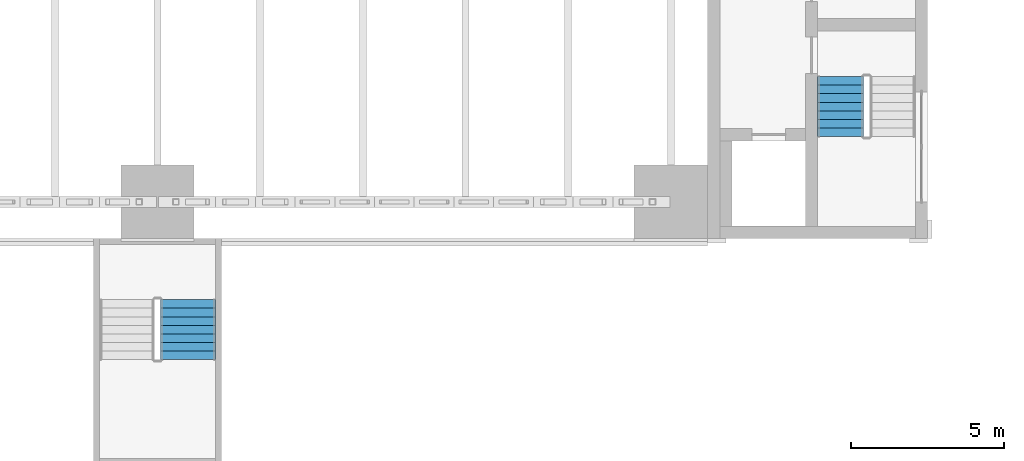
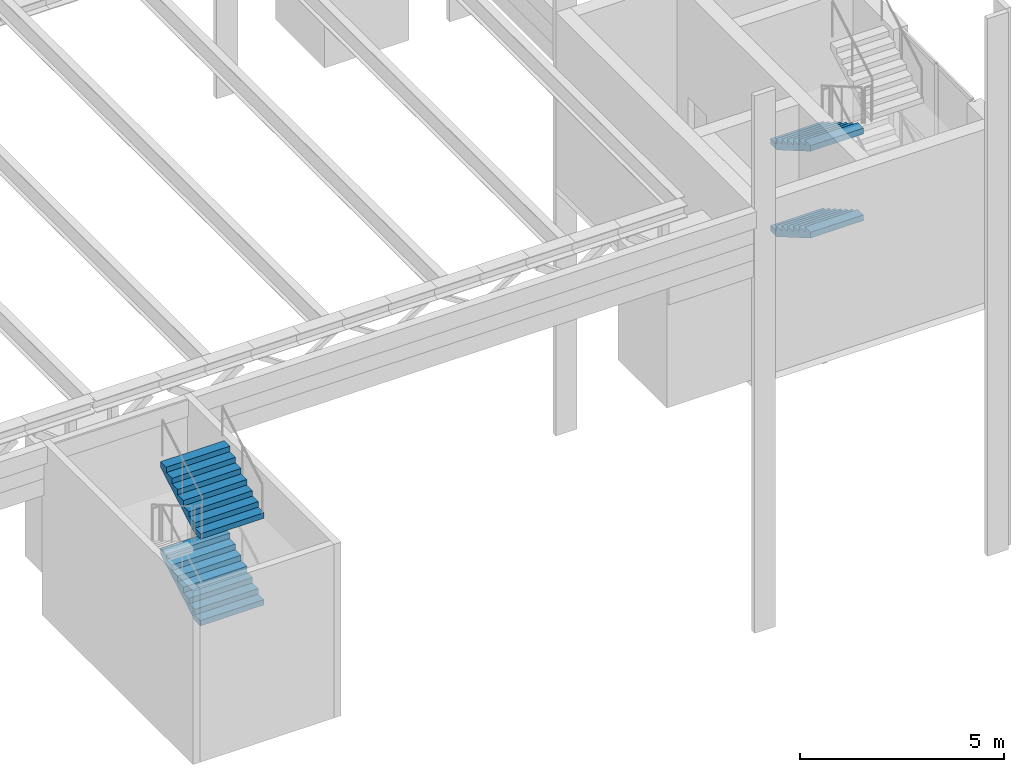
# One storey, part 76 of 93: 4 stair flights, 2 elements without a shape of their own.
"""IFC4 building model written with IfcOpenShell, lengths in metres."""

from ifc_helpers import new_model, si_unit, direction, frame, origin, place, context, subcontext, project, spatial, polygons, material, type_object, element, aggregate, save


model = new_model("IFC4")

# Units and contexts
model_context = context("Model", 3, precision=1e-05, world=origin(), true_north=direction((0.0, 1.0)))
body_context = subcontext(model_context, "Body", "Model", "MODEL_VIEW")
ifc_project = project(units=[si_unit("LENGTHUNIT", "METRE"), si_unit("AREAUNIT", "SQUARE_METRE"), si_unit("VOLUMEUNIT", "CUBIC_METRE"), si_unit("PLANEANGLEUNIT", "RADIAN"), si_unit("MASSUNIT", "GRAM", prefix="KILO")], contexts=[model_context])

# Site, building, storey
site_placement = place(None, origin())
site = spatial("IfcSite", under=ifc_project, at=site_placement, CompositionType="ELEMENT")
building_placement = place(site_placement, origin())
building = spatial("IfcBuilding", under=site, at=building_placement, Name="Verrick Yard Athletic Hall", CompositionType="ELEMENT")
storey_placement = place(building_placement, frame((0.0, 0.0, 8.800048828125)))
storey = spatial("IfcBuildingStorey", under=building, at=storey_placement, Name="L02", CompositionType="ELEMENT", Elevation=8.800048828125)

# Stair, stair flights
ifc_material = material(Name="Concrete 35 MPa", Category="concrete")
stair_type_1 = type_object("IfcStairType", Name="Stair ST2 1500 wide 32 risers", PredefinedType="HALF_TURN_STAIR", material=ifc_material)
stair_1_placement = place(storey_placement, origin())
stair_1 = element("IfcStair", 1, at=stair_1_placement, inside=storey, type_object=stair_type_1, Name="Plinth south-east stair L02", PredefinedType="HALF_TURN_STAIR")
stair_flight_type_1 = type_object("IfcStairFlightType", Name="Stair flight SF2 1500 wide 8 risers", PredefinedType="STRAIGHT", material=ifc_material)
stair_flight_1_placement = place(storey_placement, frame((163.14990234375, 23.300048828125, 0.0), z_axis=(0.0, 0.0, 1.0), x_axis=(0.0, -1.0, 0.0)))
stair_flight_1 = element("IfcStairFlight", 2, at=stair_flight_1_placement, type_object=stair_flight_type_1, Name="ST2 flight 1", NumberOfRisers=8, NumberOfTreads=7, PredefinedType="STRAIGHT", RiserHeight=0.1625, TreadLength=0.28, context=body_context, shape_type="Tessellation", body=[
    polygons([(0.2986404620805121, -0.75, 0.0), (1.9600000000000002, -0.75, 0.9641818746854172), (1.9600000000000002, -0.75, 1.1375), (1.6800000000000002, -0.75, 1.1375), (1.6800000000000002, -0.75, 0.9750000000000001), (1.4000000000000001, -0.75, 0.9750000000000001), (1.4000000000000001, -0.75, 0.8125), (1.12, -0.75, 0.8125), (1.12, -0.75, 0.65), (0.8400000000000001, -0.75, 0.65), (0.8400000000000001, -0.75, 0.48750000000000004), (0.56, -0.75, 0.48750000000000004), (0.56, -0.75, 0.325), (0.28, -0.75, 0.325), (0.28, -0.75, 0.1625), (0.0, -0.75, 0.1625), (0.0, -0.75, 0.0), (0.2986404620805121, -0.14990234375, 0.0), (1.9600000000000002, -0.14990234375, 0.9641818746854172), (1.9600000000000002, -0.14990234375, 1.1375), (1.6800000000000002, -0.14990234375, 1.1375), (1.6800000000000002, -0.14990234375, 0.9750000000000001), (1.4000000000000001, -0.14990234375, 0.9750000000000001), (1.4000000000000001, -0.14990234375, 0.8125), (1.12, -0.14990234375, 0.8125), (1.12, -0.14990234375, 0.65), (0.8400000000000001, -0.14990234375, 0.65), (0.8400000000000001, -0.14990234375, 0.48750000000000004), (0.56, -0.14990234375, 0.48750000000000004), (0.56, -0.14990234375, 0.325), (0.28, -0.14990234375, 0.325), (0.28, -0.14990234375, 0.1625), (0.0, -0.14990234375, 0.1625), (0.0, -0.14990234375, 0.0), (0.2986404620805121, -0.050048828125, 0.0), (1.9600000000000002, -0.050048828125, 0.9641818746854172), (1.9600000000000002, -0.050048828125, 1.1375), (1.6800000000000002, -0.050048828125, 1.1375), (1.6800000000000002, -0.050048828125, 0.9750000000000001), (1.4000000000000001, -0.050048828125, 0.9750000000000001), (1.4000000000000001, -0.050048828125, 0.8125), (1.12, -0.050048828125, 0.8125), (1.12, -0.050048828125, 0.65), (0.8400000000000001, -0.050048828125, 0.65), (0.8400000000000001, -0.050048828125, 0.48750000000000004), (0.56, -0.050048828125, 0.48750000000000004), (0.56, -0.050048828125, 0.325), (0.28, -0.050048828125, 0.325), (0.28, -0.050048828125, 0.1625), (0.0, -0.050048828125, 0.1625), (0.0, -0.050048828125, 0.0), (0.2986404620805121, 0.050048828125, 0.0), (1.9600000000000002, 0.050048828125, 0.9641818746854172), (1.9600000000000002, 0.050048828125, 1.1375), (1.6800000000000002, 0.050048828125, 1.1375), (1.6800000000000002, 0.050048828125, 0.9750000000000001), (1.4000000000000001, 0.050048828125, 0.9750000000000001), (1.4000000000000001, 0.050048828125, 0.8125), (1.12, 0.050048828125, 0.8125), (1.12, 0.050048828125, 0.65), (0.8400000000000001, 0.050048828125, 0.65), (0.8400000000000001, 0.050048828125, 0.48750000000000004), (0.56, 0.050048828125, 0.48750000000000004), (0.56, 0.050048828125, 0.325), (0.28, 0.050048828125, 0.325), (0.28, 0.050048828125, 0.1625), (0.0, 0.050048828125, 0.1625), (0.0, 0.050048828125, 0.0), (0.2986404620805121, 0.14990234375, 0.0), (1.9600000000000002, 0.14990234375, 0.9641818746854172), (1.9600000000000002, 0.14990234375, 1.1375), (1.6800000000000002, 0.14990234375, 1.1375), (1.6800000000000002, 0.14990234375, 0.9750000000000001), (1.4000000000000001, 0.14990234375, 0.9750000000000001), (1.4000000000000001, 0.14990234375, 0.8125), (1.12, 0.14990234375, 0.8125), (1.12, 0.14990234375, 0.65), (0.8400000000000001, 0.14990234375, 0.65), (0.8400000000000001, 0.14990234375, 0.48750000000000004), (0.56, 0.14990234375, 0.48750000000000004), (0.56, 0.14990234375, 0.325), (0.28, 0.14990234375, 0.325), (0.28, 0.14990234375, 0.1625), (0.0, 0.14990234375, 0.1625), (0.0, 0.14990234375, 0.0), (0.2986404620805121, 0.75, 0.0), (1.9600000000000002, 0.75, 0.9641818746854172), (1.9600000000000002, 0.75, 1.1375), (1.6800000000000002, 0.75, 1.1375), (1.6800000000000002, 0.75, 0.9750000000000001), (1.4000000000000001, 0.75, 0.9750000000000001), (1.4000000000000001, 0.75, 0.8125), (1.12, 0.75, 0.8125), (1.12, 0.75, 0.65), (0.8400000000000001, 0.75, 0.65), (0.8400000000000001, 0.75, 0.48750000000000004), (0.56, 0.75, 0.48750000000000004), (0.56, 0.75, 0.325), (0.28, 0.75, 0.325), (0.28, 0.75, 0.1625), (0.0, 0.75, 0.1625), (0.0, 0.75, 0.0)], [[[1, 2, 3, 4, 5, 6, 7, 8, 9, 10, 11, 12, 13, 14, 15, 16, 17]], [[102, 101, 100, 99, 98, 97, 96, 95, 94, 93, 92, 91, 90, 89, 88, 87, 86]], [[1, 18, 19, 2]], [[2, 19, 20, 3]], [[3, 20, 21, 4]], [[4, 21, 22, 5]], [[5, 22, 23, 6]], [[6, 23, 24, 7]], [[7, 24, 25, 8]], [[8, 25, 26, 9]], [[9, 26, 27, 10]], [[10, 27, 28, 11]], [[11, 28, 29, 12]], [[12, 29, 30, 13]], [[13, 30, 31, 14]], [[14, 31, 32, 15]], [[15, 32, 33, 16]], [[16, 33, 34, 17]], [[17, 34, 18, 1]], [[18, 35, 36, 19]], [[19, 36, 37, 20]], [[20, 37, 38, 21]], [[21, 38, 39, 22]], [[22, 39, 40, 23]], [[23, 40, 41, 24]], [[24, 41, 42, 25]], [[25, 42, 43, 26]], [[26, 43, 44, 27]], [[27, 44, 45, 28]], [[28, 45, 46, 29]], [[29, 46, 47, 30]], [[30, 47, 48, 31]], [[31, 48, 49, 32]], [[32, 49, 50, 33]], [[33, 50, 51, 34]], [[34, 51, 35, 18]], [[35, 52, 53, 36]], [[36, 53, 54, 37]], [[37, 54, 55, 38]], [[38, 55, 56, 39]], [[39, 56, 57, 40]], [[40, 57, 58, 41]], [[41, 58, 59, 42]], [[42, 59, 60, 43]], [[43, 60, 61, 44]], [[44, 61, 62, 45]], [[45, 62, 63, 46]], [[46, 63, 64, 47]], [[47, 64, 65, 48]], [[48, 65, 66, 49]], [[49, 66, 67, 50]], [[50, 67, 68, 51]], [[51, 68, 52, 35]], [[52, 69, 70, 53]], [[53, 70, 71, 54]], [[54, 71, 72, 55]], [[55, 72, 73, 56]], [[56, 73, 74, 57]], [[57, 74, 75, 58]], [[58, 75, 76, 59]], [[59, 76, 77, 60]], [[60, 77, 78, 61]], [[61, 78, 79, 62]], [[62, 79, 80, 63]], [[63, 80, 81, 64]], [[64, 81, 82, 65]], [[65, 82, 83, 66]], [[66, 83, 84, 67]], [[67, 84, 85, 68]], [[68, 85, 69, 52]], [[69, 86, 87, 70]], [[70, 87, 88, 71]], [[71, 88, 89, 72]], [[72, 89, 90, 73]], [[73, 90, 91, 74]], [[74, 91, 92, 75]], [[75, 92, 93, 76]], [[76, 93, 94, 77]], [[77, 94, 95, 78]], [[78, 95, 96, 79]], [[79, 96, 97, 80]], [[80, 97, 98, 81]], [[81, 98, 99, 82]], [[82, 99, 100, 83]], [[83, 100, 101, 84]], [[84, 101, 102, 85]], [[85, 102, 86, 69]]], closed=True),
])
stair_flight_2_placement = place(storey_placement, frame((163.14990234375, 23.300048828125, 2.599853515625), z_axis=(0.0, 0.0, 1.0), x_axis=(0.0, -1.0, 0.0)))
stair_flight_2 = element("IfcStairFlight", 3, at=stair_flight_2_placement, type_object=stair_flight_type_1, Name="ST2 flight 3", NumberOfRisers=8, NumberOfTreads=7, PredefinedType="STRAIGHT", RiserHeight=0.1625, TreadLength=0.28, context=body_context, shape_type="Tessellation", body=[
    polygons([(0.2986404620805121, -0.75, 0.0), (1.9600000000000002, -0.75, 0.9641818746854172), (1.9600000000000002, -0.75, 1.1375), (1.6800000000000002, -0.75, 1.1375), (1.6800000000000002, -0.75, 0.9750000000000001), (1.4000000000000001, -0.75, 0.9750000000000001), (1.4000000000000001, -0.75, 0.8125), (1.12, -0.75, 0.8125), (1.12, -0.75, 0.65), (0.8400000000000001, -0.75, 0.65), (0.8400000000000001, -0.75, 0.48750000000000004), (0.56, -0.75, 0.48750000000000004), (0.56, -0.75, 0.325), (0.28, -0.75, 0.325), (0.28, -0.75, 0.1625), (0.0, -0.75, 0.1625), (0.0, -0.75, 0.0), (0.2986404620805121, -0.14990234375, 0.0), (1.9600000000000002, -0.14990234375, 0.9641818746854172), (1.9600000000000002, -0.14990234375, 1.1375), (1.6800000000000002, -0.14990234375, 1.1375), (1.6800000000000002, -0.14990234375, 0.9750000000000001), (1.4000000000000001, -0.14990234375, 0.9750000000000001), (1.4000000000000001, -0.14990234375, 0.8125), (1.12, -0.14990234375, 0.8125), (1.12, -0.14990234375, 0.65), (0.8400000000000001, -0.14990234375, 0.65), (0.8400000000000001, -0.14990234375, 0.48750000000000004), (0.56, -0.14990234375, 0.48750000000000004), (0.56, -0.14990234375, 0.325), (0.28, -0.14990234375, 0.325), (0.28, -0.14990234375, 0.1625), (0.0, -0.14990234375, 0.1625), (0.0, -0.14990234375, 0.0), (0.2986404620805121, -0.050048828125, 0.0), (1.9600000000000002, -0.050048828125, 0.9641818746854172), (1.9600000000000002, -0.050048828125, 1.1375), (1.6800000000000002, -0.050048828125, 1.1375), (1.6800000000000002, -0.050048828125, 0.9750000000000001), (1.4000000000000001, -0.050048828125, 0.9750000000000001), (1.4000000000000001, -0.050048828125, 0.8125), (1.12, -0.050048828125, 0.8125), (1.12, -0.050048828125, 0.65), (0.8400000000000001, -0.050048828125, 0.65), (0.8400000000000001, -0.050048828125, 0.48750000000000004), (0.56, -0.050048828125, 0.48750000000000004), (0.56, -0.050048828125, 0.325), (0.28, -0.050048828125, 0.325), (0.28, -0.050048828125, 0.1625), (0.0, -0.050048828125, 0.1625), (0.0, -0.050048828125, 0.0), (0.2986404620805121, 0.050048828125, 0.0), (1.9600000000000002, 0.050048828125, 0.9641818746854172), (1.9600000000000002, 0.050048828125, 1.1375), (1.6800000000000002, 0.050048828125, 1.1375), (1.6800000000000002, 0.050048828125, 0.9750000000000001), (1.4000000000000001, 0.050048828125, 0.9750000000000001), (1.4000000000000001, 0.050048828125, 0.8125), (1.12, 0.050048828125, 0.8125), (1.12, 0.050048828125, 0.65), (0.8400000000000001, 0.050048828125, 0.65), (0.8400000000000001, 0.050048828125, 0.48750000000000004), (0.56, 0.050048828125, 0.48750000000000004), (0.56, 0.050048828125, 0.325), (0.28, 0.050048828125, 0.325), (0.28, 0.050048828125, 0.1625), (0.0, 0.050048828125, 0.1625), (0.0, 0.050048828125, 0.0), (0.2986404620805121, 0.14990234375, 0.0), (1.9600000000000002, 0.14990234375, 0.9641818746854172), (1.9600000000000002, 0.14990234375, 1.1375), (1.6800000000000002, 0.14990234375, 1.1375), (1.6800000000000002, 0.14990234375, 0.9750000000000001), (1.4000000000000001, 0.14990234375, 0.9750000000000001), (1.4000000000000001, 0.14990234375, 0.8125), (1.12, 0.14990234375, 0.8125), (1.12, 0.14990234375, 0.65), (0.8400000000000001, 0.14990234375, 0.65), (0.8400000000000001, 0.14990234375, 0.48750000000000004), (0.56, 0.14990234375, 0.48750000000000004), (0.56, 0.14990234375, 0.325), (0.28, 0.14990234375, 0.325), (0.28, 0.14990234375, 0.1625), (0.0, 0.14990234375, 0.1625), (0.0, 0.14990234375, 0.0), (0.2986404620805121, 0.75, 0.0), (1.9600000000000002, 0.75, 0.9641818746854172), (1.9600000000000002, 0.75, 1.1375), (1.6800000000000002, 0.75, 1.1375), (1.6800000000000002, 0.75, 0.9750000000000001), (1.4000000000000001, 0.75, 0.9750000000000001), (1.4000000000000001, 0.75, 0.8125), (1.12, 0.75, 0.8125), (1.12, 0.75, 0.65), (0.8400000000000001, 0.75, 0.65), (0.8400000000000001, 0.75, 0.48750000000000004), (0.56, 0.75, 0.48750000000000004), (0.56, 0.75, 0.325), (0.28, 0.75, 0.325), (0.28, 0.75, 0.1625), (0.0, 0.75, 0.1625), (0.0, 0.75, 0.0)], [[[1, 2, 3, 4, 5, 6, 7, 8, 9, 10, 11, 12, 13, 14, 15, 16, 17]], [[102, 101, 100, 99, 98, 97, 96, 95, 94, 93, 92, 91, 90, 89, 88, 87, 86]], [[1, 18, 19, 2]], [[2, 19, 20, 3]], [[3, 20, 21, 4]], [[4, 21, 22, 5]], [[5, 22, 23, 6]], [[6, 23, 24, 7]], [[7, 24, 25, 8]], [[8, 25, 26, 9]], [[9, 26, 27, 10]], [[10, 27, 28, 11]], [[11, 28, 29, 12]], [[12, 29, 30, 13]], [[13, 30, 31, 14]], [[14, 31, 32, 15]], [[15, 32, 33, 16]], [[16, 33, 34, 17]], [[17, 34, 18, 1]], [[18, 35, 36, 19]], [[19, 36, 37, 20]], [[20, 37, 38, 21]], [[21, 38, 39, 22]], [[22, 39, 40, 23]], [[23, 40, 41, 24]], [[24, 41, 42, 25]], [[25, 42, 43, 26]], [[26, 43, 44, 27]], [[27, 44, 45, 28]], [[28, 45, 46, 29]], [[29, 46, 47, 30]], [[30, 47, 48, 31]], [[31, 48, 49, 32]], [[32, 49, 50, 33]], [[33, 50, 51, 34]], [[34, 51, 35, 18]], [[35, 52, 53, 36]], [[36, 53, 54, 37]], [[37, 54, 55, 38]], [[38, 55, 56, 39]], [[39, 56, 57, 40]], [[40, 57, 58, 41]], [[41, 58, 59, 42]], [[42, 59, 60, 43]], [[43, 60, 61, 44]], [[44, 61, 62, 45]], [[45, 62, 63, 46]], [[46, 63, 64, 47]], [[47, 64, 65, 48]], [[48, 65, 66, 49]], [[49, 66, 67, 50]], [[50, 67, 68, 51]], [[51, 68, 52, 35]], [[52, 69, 70, 53]], [[53, 70, 71, 54]], [[54, 71, 72, 55]], [[55, 72, 73, 56]], [[56, 73, 74, 57]], [[57, 74, 75, 58]], [[58, 75, 76, 59]], [[59, 76, 77, 60]], [[60, 77, 78, 61]], [[61, 78, 79, 62]], [[62, 79, 80, 63]], [[63, 80, 81, 64]], [[64, 81, 82, 65]], [[65, 82, 83, 66]], [[66, 83, 84, 67]], [[67, 84, 85, 68]], [[68, 85, 69, 52]], [[69, 86, 87, 70]], [[70, 87, 88, 71]], [[71, 88, 89, 72]], [[72, 89, 90, 73]], [[73, 90, 91, 74]], [[74, 91, 92, 75]], [[75, 92, 93, 76]], [[76, 93, 94, 77]], [[77, 94, 95, 78]], [[78, 95, 96, 79]], [[79, 96, 97, 80]], [[80, 97, 98, 81]], [[81, 98, 99, 82]], [[82, 99, 100, 83]], [[83, 100, 101, 84]], [[84, 101, 102, 85]], [[85, 102, 86, 69]]], closed=True),
])
aggregate(stair_1, [stair_flight_1, stair_flight_2])

stair_type_2 = type_object("IfcStairType", Name="Stair ST4 1800 wide 32 risers", PredefinedType="HALF_TURN_STAIR", material=ifc_material)
stair_2_placement = place(storey_placement, origin())
stair_2 = element("IfcStair", 4, at=stair_2_placement, inside=storey, type_object=stair_type_2, Name="South deck escape 2 stair L02", PredefinedType="HALF_TURN_STAIR")
stair_flight_type_2 = type_object("IfcStairFlightType", Name="Stair flight SF4 1800 wide 8 risers", PredefinedType="STRAIGHT", material=ifc_material)
stair_flight_3_placement = place(storey_placement, frame((141.800048828125, 14.0400390625, 1.300048828125), z_axis=(0.0, 0.0, 1.0), x_axis=(0.0, 1.0, 0.0)))
stair_flight_3 = element("IfcStairFlight", 5, at=stair_flight_3_placement, type_object=stair_flight_type_2, Name="ST4 flight 2", NumberOfRisers=8, NumberOfTreads=7, PredefinedType="STRAIGHT", RiserHeight=0.1625, TreadLength=0.28, context=body_context, shape_type="Tessellation", body=[
    polygons([(0.2986404620805121, -0.89990234375, 0.0), (1.9600000000000002, -0.89990234375, 0.9641818746854172), (1.9600000000000002, -0.89990234375, 1.1375), (1.6800000000000002, -0.89990234375, 1.1375), (1.6800000000000002, -0.89990234375, 0.9750000000000001), (1.4000000000000001, -0.89990234375, 0.9750000000000001), (1.4000000000000001, -0.89990234375, 0.8125), (1.12, -0.89990234375, 0.8125), (1.12, -0.89990234375, 0.65), (0.8400000000000001, -0.89990234375, 0.65), (0.8400000000000001, -0.89990234375, 0.48750000000000004), (0.56, -0.89990234375, 0.48750000000000004), (0.56, -0.89990234375, 0.325), (0.28, -0.89990234375, 0.325), (0.28, -0.89990234375, 0.1625), (0.0, -0.89990234375, 0.1625), (0.0, -0.89990234375, 0.0), (0.2986404620805121, -0.179931640625, 0.0), (1.9600000000000002, -0.179931640625, 0.9641818746854172), (1.9600000000000002, -0.179931640625, 1.1375), (1.6800000000000002, -0.179931640625, 1.1375), (1.6800000000000002, -0.179931640625, 0.9750000000000001), (1.4000000000000001, -0.179931640625, 0.9750000000000001), (1.4000000000000001, -0.179931640625, 0.8125), (1.12, -0.179931640625, 0.8125), (1.12, -0.179931640625, 0.65), (0.8400000000000001, -0.179931640625, 0.65), (0.8400000000000001, -0.179931640625, 0.48750000000000004), (0.56, -0.179931640625, 0.48750000000000004), (0.56, -0.179931640625, 0.325), (0.28, -0.179931640625, 0.325), (0.28, -0.179931640625, 0.1625), (0.0, -0.179931640625, 0.1625), (0.0, -0.179931640625, 0.0), (0.2986404620805121, -0.1201171875, 0.0), (1.9600000000000002, -0.1201171875, 0.9641818746854172), (1.9600000000000002, -0.1201171875, 1.1375), (1.6800000000000002, -0.1201171875, 1.1375), (1.6800000000000002, -0.1201171875, 0.9750000000000001), (1.4000000000000001, -0.1201171875, 0.9750000000000001), (1.4000000000000001, -0.1201171875, 0.8125), (1.12, -0.1201171875, 0.8125), (1.12, -0.1201171875, 0.65), (0.8400000000000001, -0.1201171875, 0.65), (0.8400000000000001, -0.1201171875, 0.48750000000000004), (0.56, -0.1201171875, 0.48750000000000004), (0.56, -0.1201171875, 0.325), (0.28, -0.1201171875, 0.325), (0.28, -0.1201171875, 0.1625), (0.0, -0.1201171875, 0.1625), (0.0, -0.1201171875, 0.0), (0.2986404620805121, -0.06005859375, 0.0), (1.9600000000000002, -0.06005859375, 0.9641818746854172), (1.9600000000000002, -0.06005859375, 1.1375), (1.6800000000000002, -0.06005859375, 1.1375), (1.6800000000000002, -0.06005859375, 0.9750000000000001), (1.4000000000000001, -0.06005859375, 0.9750000000000001), (1.4000000000000001, -0.06005859375, 0.8125), (1.12, -0.06005859375, 0.8125), (1.12, -0.06005859375, 0.65), (0.8400000000000001, -0.06005859375, 0.65), (0.8400000000000001, -0.06005859375, 0.48750000000000004), (0.56, -0.06005859375, 0.48750000000000004), (0.56, -0.06005859375, 0.325), (0.28, -0.06005859375, 0.325), (0.28, -0.06005859375, 0.1625), (0.0, -0.06005859375, 0.1625), (0.0, -0.06005859375, 0.0), (0.2986404620805121, 0.0, 0.0), (1.9600000000000002, 0.0, 0.9641818746854172), (1.9600000000000002, 0.0, 1.1375), (1.6800000000000002, 0.0, 1.1375), (1.6800000000000002, 0.0, 0.9750000000000001), (1.4000000000000001, 0.0, 0.9750000000000001), (1.4000000000000001, 0.0, 0.8125), (1.12, 0.0, 0.8125), (1.12, 0.0, 0.65), (0.8400000000000001, 0.0, 0.65), (0.8400000000000001, 0.0, 0.48750000000000004), (0.56, 0.0, 0.48750000000000004), (0.56, 0.0, 0.325), (0.28, 0.0, 0.325), (0.28, 0.0, 0.1625), (0.0, 0.0, 0.1625), (0.0, 0.0, 0.0), (0.2986404620805121, 0.06005859375, 0.0), (1.9600000000000002, 0.06005859375, 0.9641818746854172), (1.9600000000000002, 0.06005859375, 1.1375), (1.6800000000000002, 0.06005859375, 1.1375), (1.6800000000000002, 0.06005859375, 0.9750000000000001), (1.4000000000000001, 0.06005859375, 0.9750000000000001), (1.4000000000000001, 0.06005859375, 0.8125), (1.12, 0.06005859375, 0.8125), (1.12, 0.06005859375, 0.65), (0.8400000000000001, 0.06005859375, 0.65), (0.8400000000000001, 0.06005859375, 0.48750000000000004), (0.56, 0.06005859375, 0.48750000000000004), (0.56, 0.06005859375, 0.325), (0.28, 0.06005859375, 0.325), (0.28, 0.06005859375, 0.1625), (0.0, 0.06005859375, 0.1625), (0.0, 0.06005859375, 0.0), (0.2986404620805121, 0.1201171875, 0.0), (1.9600000000000002, 0.1201171875, 0.9641818746854172), (1.9600000000000002, 0.1201171875, 1.1375), (1.6800000000000002, 0.1201171875, 1.1375), (1.6800000000000002, 0.1201171875, 0.9750000000000001), (1.4000000000000001, 0.1201171875, 0.9750000000000001), (1.4000000000000001, 0.1201171875, 0.8125), (1.12, 0.1201171875, 0.8125), (1.12, 0.1201171875, 0.65), (0.8400000000000001, 0.1201171875, 0.65), (0.8400000000000001, 0.1201171875, 0.48750000000000004), (0.56, 0.1201171875, 0.48750000000000004), (0.56, 0.1201171875, 0.325), (0.28, 0.1201171875, 0.325), (0.28, 0.1201171875, 0.1625), (0.0, 0.1201171875, 0.1625), (0.0, 0.1201171875, 0.0), (0.2986404620805121, 0.179931640625, 0.0), (1.9600000000000002, 0.179931640625, 0.9641818746854172), (1.9600000000000002, 0.179931640625, 1.1375), (1.6800000000000002, 0.179931640625, 1.1375), (1.6800000000000002, 0.179931640625, 0.9750000000000001), (1.4000000000000001, 0.179931640625, 0.9750000000000001), (1.4000000000000001, 0.179931640625, 0.8125), (1.12, 0.179931640625, 0.8125), (1.12, 0.179931640625, 0.65), (0.8400000000000001, 0.179931640625, 0.65), (0.8400000000000001, 0.179931640625, 0.48750000000000004), (0.56, 0.179931640625, 0.48750000000000004), (0.56, 0.179931640625, 0.325), (0.28, 0.179931640625, 0.325), (0.28, 0.179931640625, 0.1625), (0.0, 0.179931640625, 0.1625), (0.0, 0.179931640625, 0.0), (0.2986404620805121, 0.89990234375, 0.0), (1.9600000000000002, 0.89990234375, 0.9641818746854172), (1.9600000000000002, 0.89990234375, 1.1375), (1.6800000000000002, 0.89990234375, 1.1375), (1.6800000000000002, 0.89990234375, 0.9750000000000001), (1.4000000000000001, 0.89990234375, 0.9750000000000001), (1.4000000000000001, 0.89990234375, 0.8125), (1.12, 0.89990234375, 0.8125), (1.12, 0.89990234375, 0.65), (0.8400000000000001, 0.89990234375, 0.65), (0.8400000000000001, 0.89990234375, 0.48750000000000004), (0.56, 0.89990234375, 0.48750000000000004), (0.56, 0.89990234375, 0.325), (0.28, 0.89990234375, 0.325), (0.28, 0.89990234375, 0.1625), (0.0, 0.89990234375, 0.1625), (0.0, 0.89990234375, 0.0)], [[[1, 2, 3, 4, 5, 6, 7, 8, 9, 10, 11, 12, 13, 14, 15, 16, 17]], [[153, 152, 151, 150, 149, 148, 147, 146, 145, 144, 143, 142, 141, 140, 139, 138, 137]], [[1, 18, 19, 2]], [[2, 19, 20, 3]], [[3, 20, 21, 4]], [[4, 21, 22, 5]], [[5, 22, 23, 6]], [[6, 23, 24, 7]], [[7, 24, 25, 8]], [[8, 25, 26, 9]], [[9, 26, 27, 10]], [[10, 27, 28, 11]], [[11, 28, 29, 12]], [[12, 29, 30, 13]], [[13, 30, 31, 14]], [[14, 31, 32, 15]], [[15, 32, 33, 16]], [[16, 33, 34, 17]], [[17, 34, 18, 1]], [[18, 35, 36, 19]], [[19, 36, 37, 20]], [[20, 37, 38, 21]], [[21, 38, 39, 22]], [[22, 39, 40, 23]], [[23, 40, 41, 24]], [[24, 41, 42, 25]], [[25, 42, 43, 26]], [[26, 43, 44, 27]], [[27, 44, 45, 28]], [[28, 45, 46, 29]], [[29, 46, 47, 30]], [[30, 47, 48, 31]], [[31, 48, 49, 32]], [[32, 49, 50, 33]], [[33, 50, 51, 34]], [[34, 51, 35, 18]], [[35, 52, 53, 36]], [[36, 53, 54, 37]], [[37, 54, 55, 38]], [[38, 55, 56, 39]], [[39, 56, 57, 40]], [[40, 57, 58, 41]], [[41, 58, 59, 42]], [[42, 59, 60, 43]], [[43, 60, 61, 44]], [[44, 61, 62, 45]], [[45, 62, 63, 46]], [[46, 63, 64, 47]], [[47, 64, 65, 48]], [[48, 65, 66, 49]], [[49, 66, 67, 50]], [[50, 67, 68, 51]], [[51, 68, 52, 35]], [[52, 69, 70, 53]], [[53, 70, 71, 54]], [[54, 71, 72, 55]], [[55, 72, 73, 56]], [[56, 73, 74, 57]], [[57, 74, 75, 58]], [[58, 75, 76, 59]], [[59, 76, 77, 60]], [[60, 77, 78, 61]], [[61, 78, 79, 62]], [[62, 79, 80, 63]], [[63, 80, 81, 64]], [[64, 81, 82, 65]], [[65, 82, 83, 66]], [[66, 83, 84, 67]], [[67, 84, 85, 68]], [[68, 85, 69, 52]], [[69, 86, 87, 70]], [[70, 87, 88, 71]], [[71, 88, 89, 72]], [[72, 89, 90, 73]], [[73, 90, 91, 74]], [[74, 91, 92, 75]], [[75, 92, 93, 76]], [[76, 93, 94, 77]], [[77, 94, 95, 78]], [[78, 95, 96, 79]], [[79, 96, 97, 80]], [[80, 97, 98, 81]], [[81, 98, 99, 82]], [[82, 99, 100, 83]], [[83, 100, 101, 84]], [[84, 101, 102, 85]], [[85, 102, 86, 69]], [[86, 103, 104, 87]], [[87, 104, 105, 88]], [[88, 105, 106, 89]], [[89, 106, 107, 90]], [[90, 107, 108, 91]], [[91, 108, 109, 92]], [[92, 109, 110, 93]], [[93, 110, 111, 94]], [[94, 111, 112, 95]], [[95, 112, 113, 96]], [[96, 113, 114, 97]], [[97, 114, 115, 98]], [[98, 115, 116, 99]], [[99, 116, 117, 100]], [[100, 117, 118, 101]], [[101, 118, 119, 102]], [[102, 119, 103, 86]], [[103, 120, 121, 104]], [[104, 121, 122, 105]], [[105, 122, 123, 106]], [[106, 123, 124, 107]], [[107, 124, 125, 108]], [[108, 125, 126, 109]], [[109, 126, 127, 110]], [[110, 127, 128, 111]], [[111, 128, 129, 112]], [[112, 129, 130, 113]], [[113, 130, 131, 114]], [[114, 131, 132, 115]], [[115, 132, 133, 116]], [[116, 133, 134, 117]], [[117, 134, 135, 118]], [[118, 135, 136, 119]], [[119, 136, 120, 103]], [[120, 137, 138, 121]], [[121, 138, 139, 122]], [[122, 139, 140, 123]], [[123, 140, 141, 124]], [[124, 141, 142, 125]], [[125, 142, 143, 126]], [[126, 143, 144, 127]], [[127, 144, 145, 128]], [[128, 145, 146, 129]], [[129, 146, 147, 130]], [[130, 147, 148, 131]], [[131, 148, 149, 132]], [[132, 149, 150, 133]], [[133, 150, 151, 134]], [[134, 151, 152, 135]], [[135, 152, 153, 136]], [[136, 153, 137, 120]]], closed=True),
])
stair_flight_4_placement = place(storey_placement, frame((141.800048828125, 14.0400390625, 3.89990234375), z_axis=(0.0, 0.0, 1.0), x_axis=(0.0, 1.0, 0.0)))
stair_flight_4 = element("IfcStairFlight", 6, at=stair_flight_4_placement, type_object=stair_flight_type_2, Name="ST4 flight 4", NumberOfRisers=8, NumberOfTreads=7, PredefinedType="STRAIGHT", RiserHeight=0.1625, TreadLength=0.28, context=body_context, shape_type="Tessellation", body=[
    polygons([(0.2986404620805121, -0.89990234375, 0.0), (1.9600000000000002, -0.89990234375, 0.9641818746854172), (1.9600000000000002, -0.89990234375, 1.1375), (1.6800000000000002, -0.89990234375, 1.1375), (1.6800000000000002, -0.89990234375, 0.9750000000000001), (1.4000000000000001, -0.89990234375, 0.9750000000000001), (1.4000000000000001, -0.89990234375, 0.8125), (1.12, -0.89990234375, 0.8125), (1.12, -0.89990234375, 0.65), (0.8400000000000001, -0.89990234375, 0.65), (0.8400000000000001, -0.89990234375, 0.48750000000000004), (0.56, -0.89990234375, 0.48750000000000004), (0.56, -0.89990234375, 0.325), (0.28, -0.89990234375, 0.325), (0.28, -0.89990234375, 0.1625), (0.0, -0.89990234375, 0.1625), (0.0, -0.89990234375, 0.0), (0.2986404620805121, -0.179931640625, 0.0), (1.9600000000000002, -0.179931640625, 0.9641818746854172), (1.9600000000000002, -0.179931640625, 1.1375), (1.6800000000000002, -0.179931640625, 1.1375), (1.6800000000000002, -0.179931640625, 0.9750000000000001), (1.4000000000000001, -0.179931640625, 0.9750000000000001), (1.4000000000000001, -0.179931640625, 0.8125), (1.12, -0.179931640625, 0.8125), (1.12, -0.179931640625, 0.65), (0.8400000000000001, -0.179931640625, 0.65), (0.8400000000000001, -0.179931640625, 0.48750000000000004), (0.56, -0.179931640625, 0.48750000000000004), (0.56, -0.179931640625, 0.325), (0.28, -0.179931640625, 0.325), (0.28, -0.179931640625, 0.1625), (0.0, -0.179931640625, 0.1625), (0.0, -0.179931640625, 0.0), (0.2986404620805121, -0.1201171875, 0.0), (1.9600000000000002, -0.1201171875, 0.9641818746854172), (1.9600000000000002, -0.1201171875, 1.1375), (1.6800000000000002, -0.1201171875, 1.1375), (1.6800000000000002, -0.1201171875, 0.9750000000000001), (1.4000000000000001, -0.1201171875, 0.9750000000000001), (1.4000000000000001, -0.1201171875, 0.8125), (1.12, -0.1201171875, 0.8125), (1.12, -0.1201171875, 0.65), (0.8400000000000001, -0.1201171875, 0.65), (0.8400000000000001, -0.1201171875, 0.48750000000000004), (0.56, -0.1201171875, 0.48750000000000004), (0.56, -0.1201171875, 0.325), (0.28, -0.1201171875, 0.325), (0.28, -0.1201171875, 0.1625), (0.0, -0.1201171875, 0.1625), (0.0, -0.1201171875, 0.0), (0.2986404620805121, -0.06005859375, 0.0), (1.9600000000000002, -0.06005859375, 0.9641818746854172), (1.9600000000000002, -0.06005859375, 1.1375), (1.6800000000000002, -0.06005859375, 1.1375), (1.6800000000000002, -0.06005859375, 0.9750000000000001), (1.4000000000000001, -0.06005859375, 0.9750000000000001), (1.4000000000000001, -0.06005859375, 0.8125), (1.12, -0.06005859375, 0.8125), (1.12, -0.06005859375, 0.65), (0.8400000000000001, -0.06005859375, 0.65), (0.8400000000000001, -0.06005859375, 0.48750000000000004), (0.56, -0.06005859375, 0.48750000000000004), (0.56, -0.06005859375, 0.325), (0.28, -0.06005859375, 0.325), (0.28, -0.06005859375, 0.1625), (0.0, -0.06005859375, 0.1625), (0.0, -0.06005859375, 0.0), (0.2986404620805121, 0.0, 0.0), (1.9600000000000002, 0.0, 0.9641818746854172), (1.9600000000000002, 0.0, 1.1375), (1.6800000000000002, 0.0, 1.1375), (1.6800000000000002, 0.0, 0.9750000000000001), (1.4000000000000001, 0.0, 0.9750000000000001), (1.4000000000000001, 0.0, 0.8125), (1.12, 0.0, 0.8125), (1.12, 0.0, 0.65), (0.8400000000000001, 0.0, 0.65), (0.8400000000000001, 0.0, 0.48750000000000004), (0.56, 0.0, 0.48750000000000004), (0.56, 0.0, 0.325), (0.28, 0.0, 0.325), (0.28, 0.0, 0.1625), (0.0, 0.0, 0.1625), (0.0, 0.0, 0.0), (0.2986404620805121, 0.06005859375, 0.0), (1.9600000000000002, 0.06005859375, 0.9641818746854172), (1.9600000000000002, 0.06005859375, 1.1375), (1.6800000000000002, 0.06005859375, 1.1375), (1.6800000000000002, 0.06005859375, 0.9750000000000001), (1.4000000000000001, 0.06005859375, 0.9750000000000001), (1.4000000000000001, 0.06005859375, 0.8125), (1.12, 0.06005859375, 0.8125), (1.12, 0.06005859375, 0.65), (0.8400000000000001, 0.06005859375, 0.65), (0.8400000000000001, 0.06005859375, 0.48750000000000004), (0.56, 0.06005859375, 0.48750000000000004), (0.56, 0.06005859375, 0.325), (0.28, 0.06005859375, 0.325), (0.28, 0.06005859375, 0.1625), (0.0, 0.06005859375, 0.1625), (0.0, 0.06005859375, 0.0), (0.2986404620805121, 0.1201171875, 0.0), (1.9600000000000002, 0.1201171875, 0.9641818746854172), (1.9600000000000002, 0.1201171875, 1.1375), (1.6800000000000002, 0.1201171875, 1.1375), (1.6800000000000002, 0.1201171875, 0.9750000000000001), (1.4000000000000001, 0.1201171875, 0.9750000000000001), (1.4000000000000001, 0.1201171875, 0.8125), (1.12, 0.1201171875, 0.8125), (1.12, 0.1201171875, 0.65), (0.8400000000000001, 0.1201171875, 0.65), (0.8400000000000001, 0.1201171875, 0.48750000000000004), (0.56, 0.1201171875, 0.48750000000000004), (0.56, 0.1201171875, 0.325), (0.28, 0.1201171875, 0.325), (0.28, 0.1201171875, 0.1625), (0.0, 0.1201171875, 0.1625), (0.0, 0.1201171875, 0.0), (0.2986404620805121, 0.179931640625, 0.0), (1.9600000000000002, 0.179931640625, 0.9641818746854172), (1.9600000000000002, 0.179931640625, 1.1375), (1.6800000000000002, 0.179931640625, 1.1375), (1.6800000000000002, 0.179931640625, 0.9750000000000001), (1.4000000000000001, 0.179931640625, 0.9750000000000001), (1.4000000000000001, 0.179931640625, 0.8125), (1.12, 0.179931640625, 0.8125), (1.12, 0.179931640625, 0.65), (0.8400000000000001, 0.179931640625, 0.65), (0.8400000000000001, 0.179931640625, 0.48750000000000004), (0.56, 0.179931640625, 0.48750000000000004), (0.56, 0.179931640625, 0.325), (0.28, 0.179931640625, 0.325), (0.28, 0.179931640625, 0.1625), (0.0, 0.179931640625, 0.1625), (0.0, 0.179931640625, 0.0), (0.2986404620805121, 0.89990234375, 0.0), (1.9600000000000002, 0.89990234375, 0.9641818746854172), (1.9600000000000002, 0.89990234375, 1.1375), (1.6800000000000002, 0.89990234375, 1.1375), (1.6800000000000002, 0.89990234375, 0.9750000000000001), (1.4000000000000001, 0.89990234375, 0.9750000000000001), (1.4000000000000001, 0.89990234375, 0.8125), (1.12, 0.89990234375, 0.8125), (1.12, 0.89990234375, 0.65), (0.8400000000000001, 0.89990234375, 0.65), (0.8400000000000001, 0.89990234375, 0.48750000000000004), (0.56, 0.89990234375, 0.48750000000000004), (0.56, 0.89990234375, 0.325), (0.28, 0.89990234375, 0.325), (0.28, 0.89990234375, 0.1625), (0.0, 0.89990234375, 0.1625), (0.0, 0.89990234375, 0.0)], [[[1, 2, 3, 4, 5, 6, 7, 8, 9, 10, 11, 12, 13, 14, 15, 16, 17]], [[153, 152, 151, 150, 149, 148, 147, 146, 145, 144, 143, 142, 141, 140, 139, 138, 137]], [[1, 18, 19, 2]], [[2, 19, 20, 3]], [[3, 20, 21, 4]], [[4, 21, 22, 5]], [[5, 22, 23, 6]], [[6, 23, 24, 7]], [[7, 24, 25, 8]], [[8, 25, 26, 9]], [[9, 26, 27, 10]], [[10, 27, 28, 11]], [[11, 28, 29, 12]], [[12, 29, 30, 13]], [[13, 30, 31, 14]], [[14, 31, 32, 15]], [[15, 32, 33, 16]], [[16, 33, 34, 17]], [[17, 34, 18, 1]], [[18, 35, 36, 19]], [[19, 36, 37, 20]], [[20, 37, 38, 21]], [[21, 38, 39, 22]], [[22, 39, 40, 23]], [[23, 40, 41, 24]], [[24, 41, 42, 25]], [[25, 42, 43, 26]], [[26, 43, 44, 27]], [[27, 44, 45, 28]], [[28, 45, 46, 29]], [[29, 46, 47, 30]], [[30, 47, 48, 31]], [[31, 48, 49, 32]], [[32, 49, 50, 33]], [[33, 50, 51, 34]], [[34, 51, 35, 18]], [[35, 52, 53, 36]], [[36, 53, 54, 37]], [[37, 54, 55, 38]], [[38, 55, 56, 39]], [[39, 56, 57, 40]], [[40, 57, 58, 41]], [[41, 58, 59, 42]], [[42, 59, 60, 43]], [[43, 60, 61, 44]], [[44, 61, 62, 45]], [[45, 62, 63, 46]], [[46, 63, 64, 47]], [[47, 64, 65, 48]], [[48, 65, 66, 49]], [[49, 66, 67, 50]], [[50, 67, 68, 51]], [[51, 68, 52, 35]], [[52, 69, 70, 53]], [[53, 70, 71, 54]], [[54, 71, 72, 55]], [[55, 72, 73, 56]], [[56, 73, 74, 57]], [[57, 74, 75, 58]], [[58, 75, 76, 59]], [[59, 76, 77, 60]], [[60, 77, 78, 61]], [[61, 78, 79, 62]], [[62, 79, 80, 63]], [[63, 80, 81, 64]], [[64, 81, 82, 65]], [[65, 82, 83, 66]], [[66, 83, 84, 67]], [[67, 84, 85, 68]], [[68, 85, 69, 52]], [[69, 86, 87, 70]], [[70, 87, 88, 71]], [[71, 88, 89, 72]], [[72, 89, 90, 73]], [[73, 90, 91, 74]], [[74, 91, 92, 75]], [[75, 92, 93, 76]], [[76, 93, 94, 77]], [[77, 94, 95, 78]], [[78, 95, 96, 79]], [[79, 96, 97, 80]], [[80, 97, 98, 81]], [[81, 98, 99, 82]], [[82, 99, 100, 83]], [[83, 100, 101, 84]], [[84, 101, 102, 85]], [[85, 102, 86, 69]], [[86, 103, 104, 87]], [[87, 104, 105, 88]], [[88, 105, 106, 89]], [[89, 106, 107, 90]], [[90, 107, 108, 91]], [[91, 108, 109, 92]], [[92, 109, 110, 93]], [[93, 110, 111, 94]], [[94, 111, 112, 95]], [[95, 112, 113, 96]], [[96, 113, 114, 97]], [[97, 114, 115, 98]], [[98, 115, 116, 99]], [[99, 116, 117, 100]], [[100, 117, 118, 101]], [[101, 118, 119, 102]], [[102, 119, 103, 86]], [[103, 120, 121, 104]], [[104, 121, 122, 105]], [[105, 122, 123, 106]], [[106, 123, 124, 107]], [[107, 124, 125, 108]], [[108, 125, 126, 109]], [[109, 126, 127, 110]], [[110, 127, 128, 111]], [[111, 128, 129, 112]], [[112, 129, 130, 113]], [[113, 130, 131, 114]], [[114, 131, 132, 115]], [[115, 132, 133, 116]], [[116, 133, 134, 117]], [[117, 134, 135, 118]], [[118, 135, 136, 119]], [[119, 136, 120, 103]], [[120, 137, 138, 121]], [[121, 138, 139, 122]], [[122, 139, 140, 123]], [[123, 140, 141, 124]], [[124, 141, 142, 125]], [[125, 142, 143, 126]], [[126, 143, 144, 127]], [[127, 144, 145, 128]], [[128, 145, 146, 129]], [[129, 146, 147, 130]], [[130, 147, 148, 131]], [[131, 148, 149, 132]], [[132, 149, 150, 133]], [[133, 150, 151, 134]], [[134, 151, 152, 135]], [[135, 152, 153, 136]], [[136, 153, 137, 120]]], closed=True),
])
aggregate(stair_2, [stair_flight_3, stair_flight_4])

save(model, "model.ifc")
